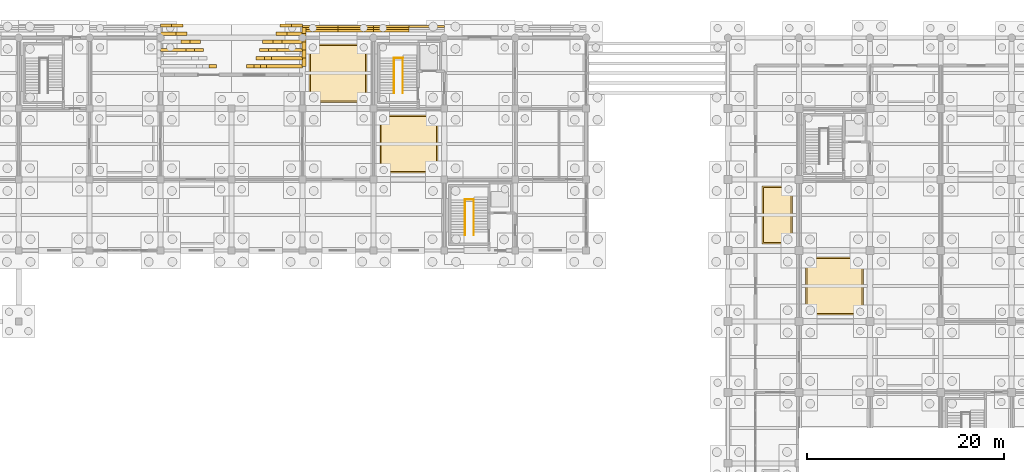
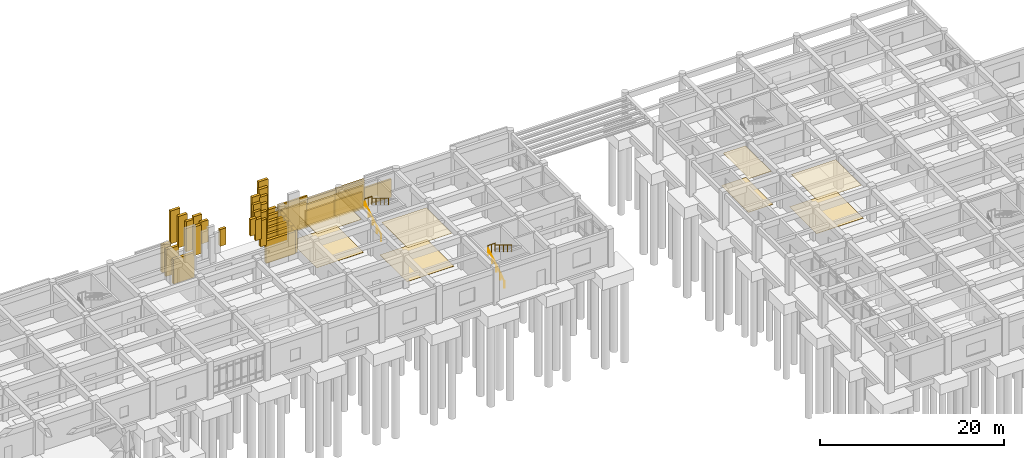
# One storey, part 75 of 79: 50 coverings, 6 railings.
"""IFC4 building model written with IfcOpenShell, lengths in metres."""

from ifc_helpers import new_model, si_unit, direction, frame, origin, origin_2d, place, context, subcontext, project, spatial, polyline, circle, outline, extrude, material, layer, layer_set, type_object, element, save


model = new_model("IFC4")

# Units and contexts
model_context = context("Model", 3, precision=1e-05, world=origin(), true_north=direction((0.0, 1.0)))
body_context = subcontext(model_context, "Body", "Model", "MODEL_VIEW")
ifc_project = project(units=[si_unit("LENGTHUNIT", "METRE"), si_unit("AREAUNIT", "SQUARE_METRE"), si_unit("VOLUMEUNIT", "CUBIC_METRE"), si_unit("PLANEANGLEUNIT", "RADIAN"), si_unit("MASSUNIT", "GRAM", prefix="KILO")], contexts=[model_context])

# Site, building, storey
site_placement = place(None, origin())
site = spatial("IfcSite", under=ifc_project, at=site_placement, CompositionType="ELEMENT")
building_placement = place(site_placement, origin())
building = spatial("IfcBuilding", under=site, at=building_placement, Name="Kavelor Marine Aquarium", CompositionType="ELEMENT")
storey_placement = place(building_placement, origin())
storey = spatial("IfcBuildingStorey", under=building, at=storey_placement, Name="L00", CompositionType="ELEMENT", Elevation=0.0)

# Coverings
ifc_material_1 = material(Name="Concrete C45/55", Category="concrete")
ifc_layer_1 = layer(ifc_material_1, 0.300048828125)
ifc_layer_set_1 = layer_set([ifc_layer_1], Name="COV-BND1")
covering_type_1 = type_object("IfcCoveringType", Name="COV-BND1", PredefinedType="CLADDING", material=ifc_layer_set_1)
covering_1_placement = place(storey_placement, origin())
element("IfcCovering", 1, at=covering_1_placement, inside=storey, type_object=covering_type_1, Name="band:north:1:r:00", PredefinedType="CLADDING", context=body_context, shape_type="SweptSolid", body=[
    extrude(outline(polyline([(75.199951171875, 111.820068359375), (78.800048828125, 111.820068359375), (78.800048828125, 112.0400390625), (75.199951171875, 112.0400390625), (75.199951171875, 111.820068359375)])), origin(), (0.0, 0.0, 1.0), 2.32080078125),
])
covering_2_placement = place(storey_placement, origin())
element("IfcCovering", 2, at=covering_2_placement, inside=storey, type_object=covering_type_1, Name="band:north:1:r:01", PredefinedType="CLADDING", context=body_context, shape_type="SweptSolid", body=[
    extrude(outline(polyline([(78.800048828125, 111.820068359375), (82.39990234375, 111.820068359375), (82.39990234375, 112.0400390625), (78.800048828125, 112.0400390625), (78.800048828125, 111.820068359375)])), origin(), (0.0, 0.0, 1.0), 1.927490234375),
])
covering_3_placement = place(storey_placement, origin())
element("IfcCovering", 3, at=covering_3_placement, inside=storey, type_object=covering_type_1, Name="band:north:1:r:02", PredefinedType="CLADDING", context=body_context, shape_type="SweptSolid", body=[
    extrude(outline(polyline([(82.39990234375, 111.820068359375), (86.0, 111.820068359375), (86.0, 112.0400390625), (82.39990234375, 112.0400390625), (82.39990234375, 111.820068359375)])), origin(), (0.0, 0.0, 1.0), 2.00048828125),
])
covering_4_placement = place(storey_placement, origin())
element("IfcCovering", 4, at=covering_4_placement, inside=storey, type_object=covering_type_1, Name="band:north:1:r:03", PredefinedType="CLADDING", context=body_context, shape_type="SweptSolid", body=[
    extrude(outline(polyline([(86.0, 111.820068359375), (89.60009765625, 111.820068359375), (89.60009765625, 112.0400390625), (86.0, 112.0400390625), (86.0, 111.820068359375)])), origin(), (0.0, 0.0, 1.0), 2.4111328125),
])
covering_5_placement = place(storey_placement, origin())
element("IfcCovering", 5, at=covering_5_placement, inside=storey, type_object=covering_type_1, Name="arch:north:1:pier:l", PredefinedType="CLADDING", context=body_context, shape_type="SweptSolid", body=[
    extrude(outline(polyline([(60.800048828125, 111.8701171875), (61.89990234375, 111.8701171875), (61.89990234375, 112.2099609375), (60.800048828125, 112.2099609375), (60.800048828125, 111.8701171875)])), origin(), (0.0, 0.0, 1.0), 3.699951171875),
])
covering_6_placement = place(storey_placement, origin())
element("IfcCovering", 6, at=covering_6_placement, inside=storey, type_object=covering_type_1, Name="arch:north:1:pier:r", PredefinedType="CLADDING", context=body_context, shape_type="SweptSolid", body=[
    extrude(outline(polyline([(74.10009765625, 111.8701171875), (75.199951171875, 111.8701171875), (75.199951171875, 112.2099609375), (74.10009765625, 112.2099609375), (74.10009765625, 111.8701171875)])), origin(), (0.0, 0.0, 1.0), 3.699951171875),
])
covering_7_placement = place(storey_placement, frame((0.0, 0.0, 3.4697265625)))
element("IfcCovering", 7, at=covering_7_placement, inside=storey, type_object=covering_type_1, Name="arch:north:1:seg:00", PredefinedType="CLADDING", context=body_context, shape_type="SweptSolid", body=[
    extrude(outline(polyline([(61.840087890625, 111.8701171875), (63.069091796875, 111.8701171875), (63.069091796875, 112.2099609375), (61.840087890625, 112.2099609375), (61.840087890625, 111.8701171875)])), origin(), (0.0, 0.0, 1.0), 4.35986328125),
])
covering_8_placement = place(storey_placement, frame((0.0, 0.0, 3.4697265625)))
element("IfcCovering", 8, at=covering_8_placement, inside=storey, type_object=covering_type_1, Name="arch:north:1:seg:10", PredefinedType="CLADDING", context=body_context, shape_type="SweptSolid", body=[
    extrude(outline(polyline([(72.930908203125, 111.8701171875), (74.159912109375, 111.8701171875), (74.159912109375, 112.2099609375), (72.930908203125, 112.2099609375), (72.930908203125, 111.8701171875)])), origin(), (0.0, 0.0, 1.0), 4.35986328125),
])
ifc_material_2 = material(Name="Concrete C45/55", Category="concrete")
ifc_layer_2 = layer(ifc_material_2, 0.320068359375)
ifc_layer_set_2 = layer_set([ifc_layer_2], Name="COV-BND2")
covering_type_2 = type_object("IfcCoveringType", Name="COV-BND2", PredefinedType="CLADDING", material=ifc_layer_set_2)
covering_9_placement = place(storey_placement, origin())
element("IfcCovering", 9, at=covering_9_placement, inside=storey, type_object=covering_type_2, Name="band:north:2:r:00", PredefinedType="CLADDING", context=body_context, shape_type="SweptSolid", body=[
    extrude(outline(polyline([(75.199951171875, 111.610107421875), (78.800048828125, 111.610107421875), (78.800048828125, 111.830078125), (75.199951171875, 111.830078125), (75.199951171875, 111.610107421875)])), origin(), (0.0, 0.0, 1.0), 3.28076171875),
])
covering_10_placement = place(storey_placement, origin())
element("IfcCovering", 10, at=covering_10_placement, inside=storey, type_object=covering_type_2, Name="band:north:2:r:01", PredefinedType="CLADDING", context=body_context, shape_type="SweptSolid", body=[
    extrude(outline(polyline([(78.800048828125, 111.610107421875), (82.39990234375, 111.610107421875), (82.39990234375, 111.830078125), (78.800048828125, 111.830078125), (78.800048828125, 111.610107421875)])), origin(), (0.0, 0.0, 1.0), 2.8876953125),
])
covering_11_placement = place(storey_placement, origin())
element("IfcCovering", 11, at=covering_11_placement, inside=storey, type_object=covering_type_2, Name="band:north:2:r:02", PredefinedType="CLADDING", context=body_context, shape_type="SweptSolid", body=[
    extrude(outline(polyline([(82.39990234375, 111.610107421875), (86.0, 111.610107421875), (86.0, 111.830078125), (82.39990234375, 111.830078125), (82.39990234375, 111.610107421875)])), origin(), (0.0, 0.0, 1.0), 2.96044921875),
])
covering_12_placement = place(storey_placement, origin())
element("IfcCovering", 12, at=covering_12_placement, inside=storey, type_object=covering_type_2, Name="band:north:2:ret:r", PredefinedType="CLADDING", context=body_context, shape_type="SweptSolid", body=[
    extrude(outline(polyline([(75.159912109375, 111.2099609375), (75.5400390625, 111.2099609375), (75.5400390625, 111.830078125), (75.159912109375, 111.830078125), (75.159912109375, 111.2099609375)])), origin(), (0.0, 0.0, 1.0), 3.56005859375),
])
covering_13_placement = place(storey_placement, origin())
element("IfcCovering", 13, at=covering_13_placement, inside=storey, type_object=covering_type_2, Name="arch:north:2:pier:l", PredefinedType="CLADDING", context=body_context, shape_type="SweptSolid", body=[
    extrude(outline(polyline([(60.800048828125, 111.0400390625), (62.419921875, 111.0400390625), (62.419921875, 111.3798828125), (60.800048828125, 111.3798828125), (60.800048828125, 111.0400390625)])), origin(), (0.0, 0.0, 1.0), 3.56005859375),
])
covering_14_placement = place(storey_placement, origin())
element("IfcCovering", 14, at=covering_14_placement, inside=storey, type_object=covering_type_2, Name="arch:north:2:pier:r", PredefinedType="CLADDING", context=body_context, shape_type="SweptSolid", body=[
    extrude(outline(polyline([(73.580078125, 111.0400390625), (75.199951171875, 111.0400390625), (75.199951171875, 111.3798828125), (73.580078125, 111.3798828125), (73.580078125, 111.0400390625)])), origin(), (0.0, 0.0, 1.0), 3.56005859375),
])
covering_15_placement = place(storey_placement, frame((0.0, 0.0, 3.267333984375)))
element("IfcCovering", 15, at=covering_15_placement, inside=storey, type_object=covering_type_2, Name="arch:north:2:seg:00", PredefinedType="CLADDING", context=body_context, shape_type="SweptSolid", body=[
    extrude(outline(polyline([(62.360107421875, 111.0400390625), (63.494384765625, 111.0400390625), (63.494384765625, 111.3798828125), (62.360107421875, 111.3798828125), (62.360107421875, 111.0400390625)])), origin(), (0.0, 0.0, 1.0), 4.182373046875),
])
covering_16_placement = place(storey_placement, frame((0.0, 0.0, 3.267333984375)))
element("IfcCovering", 16, at=covering_16_placement, inside=storey, type_object=covering_type_2, Name="arch:north:2:seg:10", PredefinedType="CLADDING", context=body_context, shape_type="SweptSolid", body=[
    extrude(outline(polyline([(72.505615234375, 111.0400390625), (73.639892578125, 111.0400390625), (73.639892578125, 111.3798828125), (72.505615234375, 111.3798828125), (72.505615234375, 111.0400390625)])), origin(), (0.0, 0.0, 1.0), 4.182373046875),
])
ifc_material_3 = material(Name="Concrete C45/55", Category="concrete")
ifc_layer_3 = layer(ifc_material_3, 0.340087890625)
ifc_layer_set_3 = layer_set([ifc_layer_3], Name="COV-BND3")
covering_type_3 = type_object("IfcCoveringType", Name="COV-BND3", PredefinedType="CLADDING", material=ifc_layer_set_3)
covering_17_placement = place(storey_placement, origin())
element("IfcCovering", 17, at=covering_17_placement, inside=storey, type_object=covering_type_3, Name="band:north:3:r:00", PredefinedType="CLADDING", context=body_context, shape_type="SweptSolid", body=[
    extrude(outline(polyline([(75.199951171875, 111.39990234375), (78.800048828125, 111.39990234375), (78.800048828125, 111.6201171875), (75.199951171875, 111.6201171875), (75.199951171875, 111.39990234375)])), origin(), (0.0, 0.0, 1.0), 4.24072265625),
])
covering_18_placement = place(storey_placement, origin())
element("IfcCovering", 18, at=covering_18_placement, inside=storey, type_object=covering_type_3, Name="band:north:3:r:01", PredefinedType="CLADDING", context=body_context, shape_type="SweptSolid", body=[
    extrude(outline(polyline([(78.800048828125, 111.39990234375), (82.39990234375, 111.39990234375), (82.39990234375, 111.6201171875), (78.800048828125, 111.6201171875), (78.800048828125, 111.39990234375)])), origin(), (0.0, 0.0, 1.0), 3.84765625),
])
covering_19_placement = place(storey_placement, origin())
element("IfcCovering", 19, at=covering_19_placement, inside=storey, type_object=covering_type_3, Name="band:north:3:r:02", PredefinedType="CLADDING", context=body_context, shape_type="SweptSolid", body=[
    extrude(outline(polyline([(82.39990234375, 111.39990234375), (86.0, 111.39990234375), (86.0, 111.6201171875), (82.39990234375, 111.6201171875), (82.39990234375, 111.39990234375)])), origin(), (0.0, 0.0, 1.0), 3.92041015625),
])
covering_20_placement = place(storey_placement, origin())
element("IfcCovering", 20, at=covering_20_placement, inside=storey, type_object=covering_type_3, Name="band:north:3:ret:r", PredefinedType="CLADDING", context=body_context, shape_type="SweptSolid", body=[
    extrude(outline(polyline([(75.159912109375, 110.3798828125), (75.5400390625, 110.3798828125), (75.5400390625, 111.6201171875), (75.159912109375, 111.6201171875), (75.159912109375, 110.3798828125)])), origin(), (0.0, 0.0, 1.0), 3.419921875),
])
covering_21_placement = place(storey_placement, origin())
element("IfcCovering", 21, at=covering_21_placement, inside=storey, type_object=covering_type_3, Name="arch:north:3:pier:r", PredefinedType="CLADDING", context=body_context, shape_type="SweptSolid", body=[
    extrude(outline(polyline([(73.06005859375, 110.2099609375), (75.199951171875, 110.2099609375), (75.199951171875, 110.550048828125), (73.06005859375, 110.550048828125), (73.06005859375, 110.2099609375)])), origin(), (0.0, 0.0, 1.0), 3.419921875),
])
covering_22_placement = place(storey_placement, frame((0.0, 0.0, 3.06494140625)))
element("IfcCovering", 22, at=covering_22_placement, inside=storey, type_object=covering_type_3, Name="arch:north:3:seg:00", PredefinedType="CLADDING", context=body_context, shape_type="SweptSolid", body=[
    extrude(outline(polyline([(62.8798828125, 110.2099609375), (63.919921875, 110.2099609375), (63.919921875, 110.550048828125), (62.8798828125, 110.550048828125), (62.8798828125, 110.2099609375)])), origin(), (0.0, 0.0, 1.0), 4.004638671875),
])
covering_23_placement = place(storey_placement, frame((0.0, 0.0, 4.427490234375)))
element("IfcCovering", 23, at=covering_23_placement, inside=storey, type_object=covering_type_3, Name="arch:north:3:seg:01", PredefinedType="CLADDING", context=body_context, shape_type="SweptSolid", body=[
    extrude(outline(polyline([(63.800048828125, 110.2099609375), (64.840087890625, 110.2099609375), (64.840087890625, 110.550048828125), (63.800048828125, 110.550048828125), (63.800048828125, 110.2099609375)])), origin(), (0.0, 0.0, 1.0), 2.984130859375),
])
covering_24_placement = place(storey_placement, frame((0.0, 0.0, 4.427490234375)))
element("IfcCovering", 24, at=covering_24_placement, inside=storey, type_object=covering_type_3, Name="arch:north:3:seg:09", PredefinedType="CLADDING", context=body_context, shape_type="SweptSolid", body=[
    extrude(outline(polyline([(71.159912109375, 110.2099609375), (72.199951171875, 110.2099609375), (72.199951171875, 110.550048828125), (71.159912109375, 110.550048828125), (71.159912109375, 110.2099609375)])), origin(), (0.0, 0.0, 1.0), 2.984130859375),
])
covering_25_placement = place(storey_placement, frame((0.0, 0.0, 3.06494140625)))
element("IfcCovering", 25, at=covering_25_placement, inside=storey, type_object=covering_type_3, Name="arch:north:3:seg:10", PredefinedType="CLADDING", context=body_context, shape_type="SweptSolid", body=[
    extrude(outline(polyline([(72.080078125, 110.2099609375), (73.1201171875, 110.2099609375), (73.1201171875, 110.550048828125), (72.080078125, 110.550048828125), (72.080078125, 110.2099609375)])), origin(), (0.0, 0.0, 1.0), 4.004638671875),
])
ifc_material_4 = material(Name="Concrete C45/55", Category="concrete")
ifc_layer_4 = layer(ifc_material_4, 0.360107421875)
ifc_layer_set_4 = layer_set([ifc_layer_4], Name="COV-BND4")
covering_type_4 = type_object("IfcCoveringType", Name="COV-BND4", PredefinedType="CLADDING", material=ifc_layer_set_4)
covering_26_placement = place(storey_placement, origin())
element("IfcCovering", 26, at=covering_26_placement, inside=storey, type_object=covering_type_4, Name="band:north:4:ret:r", PredefinedType="CLADDING", context=body_context, shape_type="SweptSolid", body=[
    extrude(outline(polyline([(75.159912109375, 109.550048828125), (75.5400390625, 109.550048828125), (75.5400390625, 111.409912109375), (75.159912109375, 111.409912109375), (75.159912109375, 109.550048828125)])), origin(), (0.0, 0.0, 1.0), 3.280029296875),
])
covering_27_placement = place(storey_placement, origin())
element("IfcCovering", 27, at=covering_27_placement, inside=storey, type_object=covering_type_4, Name="arch:north:4:pier:l", PredefinedType="CLADDING", context=body_context, shape_type="SweptSolid", body=[
    extrude(outline(polyline([(60.800048828125, 109.3798828125), (63.4599609375, 109.3798828125), (63.4599609375, 109.719970703125), (60.800048828125, 109.719970703125), (60.800048828125, 109.3798828125)])), origin(), (0.0, 0.0, 1.0), 3.280029296875),
])
covering_28_placement = place(storey_placement, origin())
element("IfcCovering", 28, at=covering_28_placement, inside=storey, type_object=covering_type_4, Name="arch:north:4:pier:r", PredefinedType="CLADDING", context=body_context, shape_type="SweptSolid", body=[
    extrude(outline(polyline([(72.5400390625, 109.3798828125), (75.199951171875, 109.3798828125), (75.199951171875, 109.719970703125), (72.5400390625, 109.719970703125), (72.5400390625, 109.3798828125)])), origin(), (0.0, 0.0, 1.0), 3.280029296875),
])
covering_29_placement = place(storey_placement, frame((0.0, 0.0, 2.8623046875)))
element("IfcCovering", 29, at=covering_29_placement, inside=storey, type_object=covering_type_4, Name="arch:north:4:seg:00", PredefinedType="CLADDING", context=body_context, shape_type="SweptSolid", body=[
    extrude(outline(polyline([(63.39990234375, 109.3798828125), (64.345458984375, 109.3798828125), (64.345458984375, 109.719970703125), (63.39990234375, 109.719970703125), (63.39990234375, 109.3798828125)])), origin(), (0.0, 0.0, 1.0), 3.827392578125),
])
covering_30_placement = place(storey_placement, frame((0.0, 0.0, 4.117919921875)))
element("IfcCovering", 30, at=covering_30_placement, inside=storey, type_object=covering_type_4, Name="arch:north:4:seg:01", PredefinedType="CLADDING", context=body_context, shape_type="SweptSolid", body=[
    extrude(outline(polyline([(64.2255859375, 109.3798828125), (65.1708984375, 109.3798828125), (65.1708984375, 109.719970703125), (64.2255859375, 109.719970703125), (64.2255859375, 109.3798828125)])), origin(), (0.0, 0.0, 1.0), 2.913818359375),
])
covering_31_placement = place(storey_placement, frame((0.0, 0.0, 4.117919921875)))
element("IfcCovering", 31, at=covering_31_placement, inside=storey, type_object=covering_type_4, Name="arch:north:4:seg:09", PredefinedType="CLADDING", context=body_context, shape_type="SweptSolid", body=[
    extrude(outline(polyline([(70.8291015625, 109.3798828125), (71.7744140625, 109.3798828125), (71.7744140625, 109.719970703125), (70.8291015625, 109.719970703125), (70.8291015625, 109.3798828125)])), origin(), (0.0, 0.0, 1.0), 2.913818359375),
])
covering_32_placement = place(storey_placement, frame((0.0, 0.0, 2.8623046875)))
element("IfcCovering", 32, at=covering_32_placement, inside=storey, type_object=covering_type_4, Name="arch:north:4:seg:10", PredefinedType="CLADDING", context=body_context, shape_type="SweptSolid", body=[
    extrude(outline(polyline([(71.654541015625, 109.3798828125), (72.60009765625, 109.3798828125), (72.60009765625, 109.719970703125), (71.654541015625, 109.719970703125), (71.654541015625, 109.3798828125)])), origin(), (0.0, 0.0, 1.0), 3.827392578125),
])
ifc_material_5 = material(Name="Concrete C45/55", Category="concrete")
ifc_layer_5 = layer(ifc_material_5, 0.3798828125)
ifc_layer_set_5 = layer_set([ifc_layer_5], Name="COV-BND5")
covering_type_5 = type_object("IfcCoveringType", Name="COV-BND5", PredefinedType="CLADDING", material=ifc_layer_set_5)
covering_33_placement = place(storey_placement, origin())
element("IfcCovering", 33, at=covering_33_placement, inside=storey, type_object=covering_type_5, Name="band:north:5:ret:r", PredefinedType="CLADDING", context=body_context, shape_type="SweptSolid", body=[
    extrude(outline(polyline([(75.159912109375, 108.719970703125), (75.5400390625, 108.719970703125), (75.5400390625, 111.199951171875), (75.159912109375, 111.199951171875), (75.159912109375, 108.719970703125)])), origin(), (0.0, 0.0, 1.0), 3.139892578125),
])
covering_34_placement = place(storey_placement, origin())
element("IfcCovering", 34, at=covering_34_placement, inside=storey, type_object=covering_type_5, Name="arch:north:5:pier:r", PredefinedType="CLADDING", context=body_context, shape_type="SweptSolid", body=[
    extrude(outline(polyline([(72.02001953125, 108.550048828125), (75.199951171875, 108.550048828125), (75.199951171875, 108.889892578125), (72.02001953125, 108.889892578125), (72.02001953125, 108.550048828125)])), origin(), (0.0, 0.0, 1.0), 3.139892578125),
])
covering_35_placement = place(storey_placement, frame((0.0, 0.0, 3.808349609375)))
element("IfcCovering", 35, at=covering_35_placement, inside=storey, type_object=covering_type_5, Name="arch:north:5:seg:09", PredefinedType="CLADDING", context=body_context, shape_type="SweptSolid", body=[
    extrude(outline(polyline([(70.498291015625, 108.550048828125), (71.34912109375, 108.550048828125), (71.34912109375, 108.889892578125), (70.498291015625, 108.889892578125), (70.498291015625, 108.550048828125)])), origin(), (0.0, 0.0, 1.0), 2.84326171875),
])
covering_36_placement = place(storey_placement, frame((0.0, 0.0, 2.659912109375)))
element("IfcCovering", 36, at=covering_36_placement, inside=storey, type_object=covering_type_5, Name="arch:north:5:seg:10", PredefinedType="CLADDING", context=body_context, shape_type="SweptSolid", body=[
    extrude(outline(polyline([(71.22900390625, 108.550048828125), (72.080078125, 108.550048828125), (72.080078125, 108.889892578125), (71.22900390625, 108.889892578125), (71.22900390625, 108.550048828125)])), origin(), (0.0, 0.0, 1.0), 3.649658203125),
])
ifc_material_6 = material(Name="Concrete C45/55", Category="concrete")
ifc_layer_6 = layer(ifc_material_6, 0.39990234375)
ifc_layer_set_6 = layer_set([ifc_layer_6], Name="COV-BND6")
covering_type_6 = type_object("IfcCoveringType", Name="COV-BND6", PredefinedType="CLADDING", material=ifc_layer_set_6)
covering_37_placement = place(storey_placement, origin())
element("IfcCovering", 37, at=covering_37_placement, inside=storey, type_object=covering_type_6, Name="band:north:6:ret:r", PredefinedType="CLADDING", context=body_context, shape_type="SweptSolid", body=[
    extrude(outline(polyline([(75.159912109375, 107.889892578125), (75.5400390625, 107.889892578125), (75.5400390625, 110.989990234375), (75.159912109375, 110.989990234375), (75.159912109375, 107.889892578125)])), origin(), (0.0, 0.0, 1.0), 3.0),
])
covering_38_placement = place(storey_placement, origin())
element("IfcCovering", 38, at=covering_38_placement, inside=storey, type_object=covering_type_6, Name="arch:north:6:pier:r", PredefinedType="CLADDING", context=body_context, shape_type="SweptSolid", body=[
    extrude(outline(polyline([(71.5, 107.719970703125), (75.199951171875, 107.719970703125), (75.199951171875, 108.06005859375), (71.5, 108.06005859375), (71.5, 107.719970703125)])), origin(), (0.0, 0.0, 1.0), 3.0),
])
covering_39_placement = place(storey_placement, frame((0.0, 0.0, 4.30859375)))
element("IfcCovering", 39, at=covering_39_placement, inside=storey, type_object=covering_type_6, Name="arch:north:6:seg:02", PredefinedType="CLADDING", context=body_context, shape_type="SweptSolid", body=[
    extrude(outline(polyline([(65.712646484375, 107.719970703125), (66.468994140625, 107.719970703125), (66.468994140625, 108.06005859375), (65.712646484375, 108.06005859375), (65.712646484375, 107.719970703125)])), origin(), (0.0, 0.0, 1.0), 2.229248046875),
])
covering_40_placement = place(storey_placement, frame((0.0, 0.0, 4.30859375)))
element("IfcCovering", 40, at=covering_40_placement, inside=storey, type_object=covering_type_6, Name="arch:north:6:seg:08", PredefinedType="CLADDING", context=body_context, shape_type="SweptSolid", body=[
    extrude(outline(polyline([(69.531005859375, 107.719970703125), (70.287353515625, 107.719970703125), (70.287353515625, 108.06005859375), (69.531005859375, 108.06005859375), (69.531005859375, 107.719970703125)])), origin(), (0.0, 0.0, 1.0), 2.229248046875),
])
covering_41_placement = place(storey_placement, frame((0.0, 0.0, 3.498779296875)))
element("IfcCovering", 41, at=covering_41_placement, inside=storey, type_object=covering_type_6, Name="arch:north:6:seg:09", PredefinedType="CLADDING", context=body_context, shape_type="SweptSolid", body=[
    extrude(outline(polyline([(70.167236328125, 107.719970703125), (70.923583984375, 107.719970703125), (70.923583984375, 108.06005859375), (70.167236328125, 108.06005859375), (70.167236328125, 107.719970703125)])), origin(), (0.0, 0.0, 1.0), 2.77294921875),
])
covering_42_placement = place(storey_placement, frame((0.0, 0.0, 2.45751953125)))
element("IfcCovering", 42, at=covering_42_placement, inside=storey, type_object=covering_type_6, Name="arch:north:6:seg:10", PredefinedType="CLADDING", context=body_context, shape_type="SweptSolid", body=[
    extrude(outline(polyline([(70.8037109375, 107.719970703125), (71.56005859375, 107.719970703125), (71.56005859375, 108.06005859375), (70.8037109375, 108.06005859375), (70.8037109375, 107.719970703125)])), origin(), (0.0, 0.0, 1.0), 3.47216796875),
])
ifc_material_7 = material(Name="Moisture-Resistant Acoustic Mineral-Fibre Ceiling")
ifc_layer_7 = layer(ifc_material_7, 0.0400390625)
ifc_layer_set_7 = layer_set([ifc_layer_7], Name="COV-CE1")
covering_type_7 = type_object("IfcCoveringType", Name="COV-CE1", PredefinedType="CEILING", material=ifc_layer_set_7)
covering_43_placement = place(storey_placement, frame((0.0, 0.0, 4.340087890625)))
element("IfcCovering", 43, at=covering_43_placement, inside=storey, type_object=covering_type_7, Name="ceil:L00:10_14", PredefinedType="CEILING", context=body_context, shape_type="SweptSolid", body=[
    extrude(outline(polyline([(76.0, 104.39990234375), (81.60009765625, 104.39990234375), (81.60009765625, 110.0), (76.0, 110.0), (76.0, 104.39990234375)])), origin(), (0.0, 0.0, 1.0), 0.039794921875),
])
covering_44_placement = place(storey_placement, frame((0.0, 0.0, 4.340087890625)))
element("IfcCovering", 44, at=covering_44_placement, inside=storey, type_object=covering_type_7, Name="ceil:L00:11_13", PredefinedType="CEILING", context=body_context, shape_type="SweptSolid", body=[
    extrude(outline(polyline([(83.199951171875, 97.199951171875), (88.800048828125, 97.199951171875), (88.800048828125, 102.800048828125), (83.199951171875, 102.800048828125), (83.199951171875, 97.199951171875)])), origin(), (0.0, 0.0, 1.0), 0.039794921875),
])
covering_45_placement = place(storey_placement, frame((0.0, 0.0, 4.340087890625)))
element("IfcCovering", 45, at=covering_45_placement, inside=storey, type_object=covering_type_7, Name="ceil:L00:16_12", PredefinedType="CEILING", context=body_context, shape_type="SweptSolid", body=[
    extrude(outline(polyline([(122.0, 90.0), (124.800048828125, 90.0), (124.800048828125, 95.60009765625), (122.0, 95.60009765625), (122.0, 90.0)])), origin(), (0.0, 0.0, 1.0), 0.039794921875),
])
covering_46_placement = place(storey_placement, frame((0.0, 0.0, 4.340087890625)))
element("IfcCovering", 46, at=covering_46_placement, inside=storey, type_object=covering_type_7, Name="ceil:L00:17_11", PredefinedType="CEILING", context=body_context, shape_type="SweptSolid", body=[
    extrude(outline(polyline([(126.39990234375, 82.800048828125), (132.0, 82.800048828125), (132.0, 88.39990234375), (126.39990234375, 88.39990234375), (126.39990234375, 82.800048828125)])), origin(), (0.0, 0.0, 1.0), 0.039794921875),
])
ifc_material_8 = material(Name="Polished Coastal Terrazzo Flooring")
ifc_layer_8 = layer(ifc_material_8, 0.030029296875)
ifc_layer_set_8 = layer_set([ifc_layer_8], Name="COV-FL1")
covering_type_8 = type_object("IfcCoveringType", Name="COV-FL1", PredefinedType="FLOORING", material=ifc_layer_set_8)
covering_47_placement = place(storey_placement, origin())
element("IfcCovering", 47, at=covering_47_placement, inside=storey, type_object=covering_type_8, Name="flr:L00:10_14", PredefinedType="FLOORING", context=body_context, shape_type="SweptSolid", body=[
    extrude(outline(polyline([(75.85009765625, 104.25), (81.75, 104.25), (81.75, 110.14990234375), (75.85009765625, 110.14990234375), (75.85009765625, 104.25)])), origin(), (0.0, 0.0, 1.0), 0.030029296875),
])
covering_48_placement = place(storey_placement, origin())
element("IfcCovering", 48, at=covering_48_placement, inside=storey, type_object=covering_type_8, Name="flr:L00:11_13", PredefinedType="FLOORING", context=body_context, shape_type="SweptSolid", body=[
    extrude(outline(polyline([(83.050048828125, 97.050048828125), (88.949951171875, 97.050048828125), (88.949951171875, 102.949951171875), (83.050048828125, 102.949951171875), (83.050048828125, 97.050048828125)])), origin(), (0.0, 0.0, 1.0), 0.030029296875),
])
covering_49_placement = place(storey_placement, origin())
element("IfcCovering", 49, at=covering_49_placement, inside=storey, type_object=covering_type_8, Name="flr:L00:16_12", PredefinedType="FLOORING", context=body_context, shape_type="SweptSolid", body=[
    extrude(outline(polyline([(121.85009765625, 89.85009765625), (124.949951171875, 89.85009765625), (124.949951171875, 95.75), (121.85009765625, 95.75), (121.85009765625, 89.85009765625)])), origin(), (0.0, 0.0, 1.0), 0.030029296875),
])
covering_50_placement = place(storey_placement, origin())
element("IfcCovering", 50, at=covering_50_placement, inside=storey, type_object=covering_type_8, Name="flr:L00:17_11", PredefinedType="FLOORING", context=body_context, shape_type="SweptSolid", body=[
    extrude(outline(polyline([(126.25, 82.64990234375), (132.14990234375, 82.64990234375), (132.14990234375, 88.550048828125), (126.25, 88.550048828125), (126.25, 82.64990234375)])), origin(), (0.0, 0.0, 1.0), 0.030029296875),
])

# Railings
ifc_material_9 = material(Name="Brushed Stainless Steel Wall and Flight Handrail", Category="steel")
railing_type_1 = type_object("IfcRailingType", Name="RL-HR1", PredefinedType="HANDRAIL", material=ifc_material_9)
railing_1_placement = place(storey_placement, frame((84.489990234375, 105.159912109375, 0.0)))
element("IfcRailing", 51, at=railing_1_placement, inside=storey, type_object=railing_type_1, Name="Stair Handrail ST06-1", PredefinedType="HANDRAIL", context=body_context, shape_type="SweptSolid", body=[
    extrude(circle(Radius=0.02001953125, at=origin_2d()), frame((0.0, 0.0, 0.8798828125), z_axis=(0.0, 0.854554443122, 0.519361823531), x_axis=(-1.0, 0.0, 0.0)), (0.0, 0.0, 1.0), 4.18359375),
    extrude(circle(Radius=0.01806640625, at=origin_2d()), origin(), (0.0, 0.0, 1.0), 0.85986328125),
    extrude(circle(Radius=0.01806640625, at=origin_2d()), frame((0.0, 0.893798828125, 0.543212890625)), (0.0, 0.0, 1.0), 0.85986328125),
    extrude(circle(Radius=0.01806640625, at=origin_2d()), frame((0.0, 1.78759765625, 1.08642578125)), (0.0, 0.0, 1.0), 0.85986328125),
    extrude(circle(Radius=0.01806640625, at=origin_2d()), frame((0.0, 2.681396484375, 1.629638671875)), (0.0, 0.0, 1.0), 0.85986328125),
    extrude(circle(Radius=0.01806640625, at=origin_2d()), frame((0.0, 3.5751953125, 2.1728515625)), (0.0, 0.0, 1.0), 0.85986328125),
])
railing_2_placement = place(storey_placement, frame((85.389892578125, 108.735107421875, 2.340087890625)))
element("IfcRailing", 52, at=railing_2_placement, inside=storey, type_object=railing_type_1, Name="Stair Handrail ST06-2", PredefinedType="HANDRAIL", context=body_context, shape_type="SweptSolid", body=[
    extrude(circle(Radius=0.02001953125, at=origin_2d()), frame((0.0, 0.0, 0.8798828125), z_axis=(0.0, -0.854554443122, 0.519361823531), x_axis=(1.0, 0.0, 0.0)), (0.0, 0.0, 1.0), 4.18359375),
    extrude(circle(Radius=0.01806640625, at=origin_2d()), origin(), (0.0, 0.0, 1.0), 0.85986328125),
    extrude(circle(Radius=0.01806640625, at=origin_2d()), frame((0.0, -0.893798828125, 0.543212890625)), (0.0, 0.0, 1.0), 0.85986328125),
    extrude(circle(Radius=0.01806640625, at=origin_2d()), frame((0.0, -1.78759765625, 1.08642578125)), (0.0, 0.0, 1.0), 0.85986328125),
    extrude(circle(Radius=0.01806640625, at=origin_2d()), frame((0.0, -2.681396484375, 1.629638671875)), (0.0, 0.0, 1.0), 0.85986328125),
    extrude(circle(Radius=0.01806640625, at=origin_2d()), frame((0.0, -3.5751953125, 2.1728515625)), (0.0, 0.0, 1.0), 0.85986328125),
])
railing_3_placement = place(storey_placement, frame((91.68994140625, 90.760009765625, 0.0)))
element("IfcRailing", 53, at=railing_3_placement, inside=storey, type_object=railing_type_1, Name="Stair Handrail ST07-1", PredefinedType="HANDRAIL", context=body_context, shape_type="SweptSolid", body=[
    extrude(circle(Radius=0.02001953125, at=origin_2d()), frame((0.0, 0.0, 0.8798828125), z_axis=(0.0, 0.854538701388, 0.519387723988), x_axis=(-1.0, 0.0, 0.0)), (0.0, 0.0, 1.0), 4.18359375),
    extrude(circle(Radius=0.01806640625, at=origin_2d()), origin(), (0.0, 0.0, 1.0), 0.85986328125),
    extrude(circle(Radius=0.01806640625, at=origin_2d()), frame((0.0, 0.893798828125, 0.543212890625)), (0.0, 0.0, 1.0), 0.85986328125),
    extrude(circle(Radius=0.01806640625, at=origin_2d()), frame((0.0, 1.78759765625, 1.08642578125)), (0.0, 0.0, 1.0), 0.85986328125),
    extrude(circle(Radius=0.01806640625, at=origin_2d()), frame((0.0, 2.68115234375, 1.629638671875)), (0.0, 0.0, 1.0), 0.85986328125),
    extrude(circle(Radius=0.01806640625, at=origin_2d()), frame((0.0, 3.574951171875, 2.1728515625)), (0.0, 0.0, 1.0), 0.85986328125),
])
railing_4_placement = place(storey_placement, frame((92.590087890625, 94.3349609375, 2.340087890625)))
element("IfcRailing", 54, at=railing_4_placement, inside=storey, type_object=railing_type_1, Name="Stair Handrail ST07-2", PredefinedType="HANDRAIL", context=body_context, shape_type="SweptSolid", body=[
    extrude(circle(Radius=0.02001953125, at=origin_2d()), frame((0.0, 0.0, 0.8798828125), z_axis=(0.0, -0.854538701388, 0.519387723988), x_axis=(1.0, 0.0, 0.0)), (0.0, 0.0, 1.0), 4.18359375),
    extrude(circle(Radius=0.01806640625, at=origin_2d()), origin(), (0.0, 0.0, 1.0), 0.85986328125),
    extrude(circle(Radius=0.01806640625, at=origin_2d()), frame((0.0, -0.893798828125, 0.543212890625)), (0.0, 0.0, 1.0), 0.85986328125),
    extrude(circle(Radius=0.01806640625, at=origin_2d()), frame((0.0, -1.78759765625, 1.08642578125)), (0.0, 0.0, 1.0), 0.85986328125),
    extrude(circle(Radius=0.01806640625, at=origin_2d()), frame((0.0, -2.68115234375, 1.629638671875)), (0.0, 0.0, 1.0), 0.85986328125),
    extrude(circle(Radius=0.01806640625, at=origin_2d()), frame((0.0, -3.574951171875, 2.1728515625)), (0.0, 0.0, 1.0), 0.85986328125),
])
ifc_material_10 = material(Name="Brushed Stainless Steel Stair Guardrail", Category="steel")
railing_type_2 = type_object("IfcRailingType", Name="RL-SG1", PredefinedType="GUARDRAIL", material=ifc_material_10)
railing_5_placement = place(storey_placement, frame((84.489990234375, 108.764892578125, 2.340087890625)))
element("IfcRailing", 55, at=railing_5_placement, inside=storey, type_object=railing_type_2, Name="Landing Guardrail ST06-M", PredefinedType="GUARDRAIL", context=body_context, shape_type="SweptSolid", body=[
    extrude(circle(Radius=0.0224609375, at=origin_2d()), frame((0.0, 0.0, 1.09765625), z_axis=(1.0, 0.0, 0.0), x_axis=(0.0, 1.0, 0.0)), (0.0, 0.0, 1.0), 0.89990234375),
    extrude(circle(Radius=0.02099609375, at=origin_2d()), origin(), (0.0, 0.0, 1.0), 1.0751953125),
    extrude(circle(Radius=0.02099609375, at=origin_2d()), frame((0.449951171875, 0.0, 0.0)), (0.0, 0.0, 1.0), 1.0751953125),
    extrude(circle(Radius=0.02099609375, at=origin_2d()), frame((0.89990234375, 0.0, 0.0)), (0.0, 0.0, 1.0), 1.0751953125),
])
railing_6_placement = place(storey_placement, frame((91.68994140625, 94.364990234375, 2.340087890625)))
element("IfcRailing", 56, at=railing_6_placement, inside=storey, type_object=railing_type_2, Name="Landing Guardrail ST07-M", PredefinedType="GUARDRAIL", context=body_context, shape_type="SweptSolid", body=[
    extrude(circle(Radius=0.0224609375, at=origin_2d()), frame((0.0, 0.0, 1.09765625), z_axis=(1.0, 0.0, 0.0), x_axis=(0.0, 1.0, 0.0)), (0.0, 0.0, 1.0), 0.900146484375),
    extrude(circle(Radius=0.02099609375, at=origin_2d()), origin(), (0.0, 0.0, 1.0), 1.0751953125),
    extrude(circle(Radius=0.02099609375, at=origin_2d()), frame((0.4501953125, 0.0, 0.0)), (0.0, 0.0, 1.0), 1.0751953125),
    extrude(circle(Radius=0.02099609375, at=origin_2d()), frame((0.900146484375, 0.0, 0.0)), (0.0, 0.0, 1.0), 1.0751953125),
])

save(model, "model.ifc")
